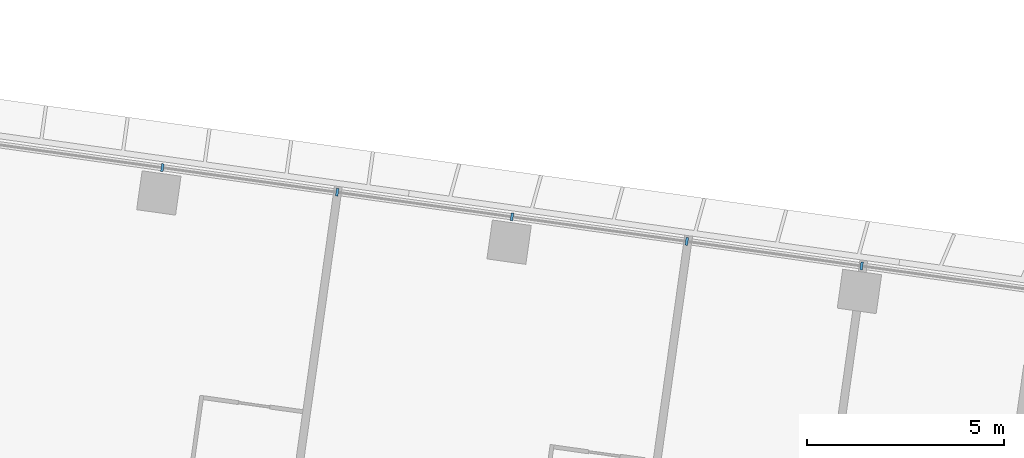
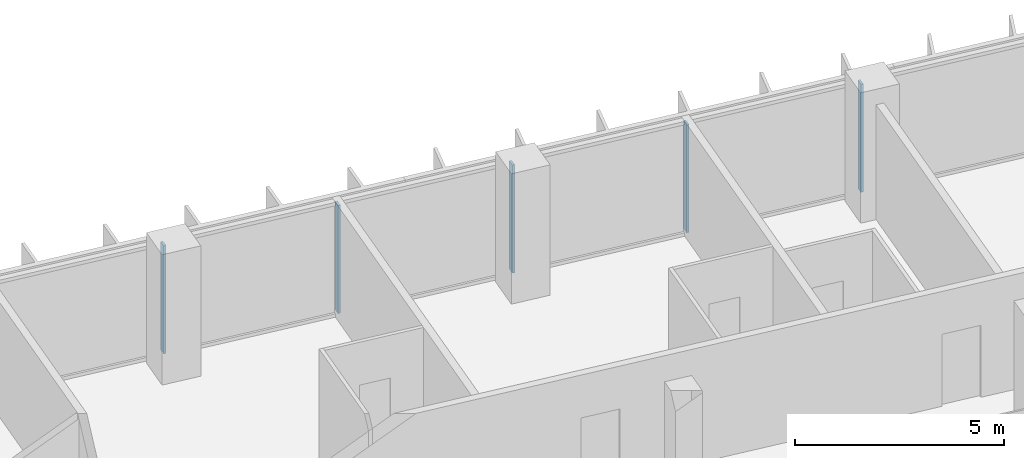
# One storey, part 5 of 25: 5 members, 1 element without a shape of its own.
"""IFC4 building model written with IfcOpenShell, lengths in metres."""

import ifcopenshell
import ifcopenshell.guid

model = None  # the IFC model being written
_history = None  # IfcOwnerHistory: only IFC2X3 demands one
_inside = {}  # id of a spatial element -> (the spatial element, [elements in it])
_under = {}  # id of a project, library or spatial element -> (it, [spatial elements below it])
_declared = {}  # id of a project -> (the project, [libraries it declares])
_typed = {}  # id of a type object -> (the type object, [elements of that type])
_made_of = {}  # id of a material, layer set ... -> (it, [elements and type objects made of it])


def new_model(schema):
    """Start an empty IFC model of exactly this schema.

    Asked for "IFC4X3", IfcOpenShell would pick the latest addendum, in which some entities
    have other attributes; the version numbers below select the first issue.
    IFC2X3 requires an IfcOwnerHistory on every rooted entity: one is made here for all.
    """
    global model, _history
    if schema == "IFC4X3":
        model = ifcopenshell.file(schema_version=(4, 3, 0, 0))
    else:
        model = ifcopenshell.file(schema=schema)
    _inside.clear()
    _under.clear()
    _declared.clear()
    _typed.clear()
    _made_of.clear()
    _history = None
    if model.schema == "IFC2X3":
        org = make("IfcOrganization", Name="unknown")
        user = make(
            "IfcPersonAndOrganization",
            ThePerson=make("IfcPerson", FamilyName="unknown"),
            TheOrganization=org,
        )
        app = make(
            "IfcApplication",
            ApplicationDeveloper=org,
            Version="unknown",
            ApplicationFullName="unknown",
            ApplicationIdentifier="unknown",
        )
        _history = make(
            "IfcOwnerHistory",
            OwningUser=user,
            OwningApplication=app,
            ChangeAction="ADDED",
            CreationDate=0,
        )
    return model


def make(cls, **values):
    """One entity of the class cls with the attributes given. An attribute that is None is left unset."""
    return model.create_entity(
        cls, **{name: value for name, value in values.items() if value is not None}
    )


def rooted(cls, **values):
    """An entity with a GlobalId (a new one), such as an element, a storey or a relation."""
    return make(cls, GlobalId=ifcopenshell.guid.new(), OwnerHistory=_history, **values)


def si_unit(unit_type, name, prefix=None):
    """IfcSIUnit, for example si_unit("LENGTHUNIT", "METRE", prefix="MILLI")."""
    return make("IfcSIUnit", UnitType=unit_type, Prefix=prefix, Name=name)


def assignment(units):
    """IfcUnitAssignment: the units of a project."""
    return None if units is None else make("IfcUnitAssignment", Units=units)


def point(xyz):
    """IfcCartesianPoint."""
    return None if xyz is None else make("IfcCartesianPoint", Coordinates=xyz)


def direction(xyz):
    """IfcDirection."""
    return None if xyz is None else make("IfcDirection", DirectionRatios=xyz)


def frame(location, z_axis=None, x_axis=None):
    """IfcAxis2Placement3D, a coordinate frame: its origin and axes. An axis left out is left unset."""
    return make(
        "IfcAxis2Placement3D",
        Location=point(location),
        Axis=direction(z_axis),
        RefDirection=direction(x_axis),
    )


def frame_2d(location, x_axis=None):
    """IfcAxis2Placement2D, a coordinate frame in the plane: its origin and x axis."""
    return make(
        "IfcAxis2Placement2D", Location=point(location), RefDirection=direction(x_axis)
    )


def origin():
    """The frame at (0, 0, 0) with its axes left unset."""
    return frame((0.0, 0.0, 0.0))


def origin_2d():
    """The frame at (0, 0) in the plane with its x axis left unset."""
    return frame_2d((0.0, 0.0))


def place(relative_to, where):
    """IfcLocalPlacement: puts the frame where relative to a parent placement (None: the world)."""
    return make(
        "IfcLocalPlacement", PlacementRelTo=relative_to, RelativePlacement=where
    )


def context(
    kind, dimensions, precision=None, world=None, true_north=None, identifier=None
):
    """IfcGeometricRepresentationContext, for example the 3D "Model" context."""
    return make(
        "IfcGeometricRepresentationContext",
        ContextIdentifier=identifier,
        ContextType=kind,
        CoordinateSpaceDimension=dimensions,
        Precision=precision,
        WorldCoordinateSystem=world,
        TrueNorth=true_north,
    )


def subcontext(parent, identifier, kind, view, scale=None):
    """IfcGeometricRepresentationSubContext, for example "Body" below "Model"."""
    return make(
        "IfcGeometricRepresentationSubContext",
        ContextIdentifier=identifier,
        ContextType=kind,
        ParentContext=parent,
        TargetScale=scale,
        TargetView=view,
    )


def project(units=None, contexts=None):
    """IfcProject with its units and contexts."""
    return rooted(
        "IfcProject",
        Name="project",
        RepresentationContexts=contexts,
        UnitsInContext=assignment(units),
    )


def spatial(cls, under=None, at=None, **own):
    """A site, building, storey or space (cls), placed at a placement, below another one or the project."""
    s = rooted(cls, ObjectPlacement=at, **own)
    if under is not None:
        _under.setdefault(under.id(), (under, []))[1].append(s)
    return s


def profile(cls, at=None, kind="AREA", **sizes):
    """A parametric profile (cls). Its sizes go by their IFC names, for example OverallWidth=200.0."""
    return make(cls, ProfileType=kind, Position=at, **sizes)


def rectangle(**sizes):
    """IfcRectangleProfileDef."""
    return profile("IfcRectangleProfileDef", **sizes)


def extrude(swept, where, along, depth):
    """IfcExtrudedAreaSolid: the profile swept, set in the frame where, extruded along a direction by depth."""
    return make(
        "IfcExtrudedAreaSolid",
        SweptArea=swept,
        Position=where,
        ExtrudedDirection=direction(along),
        Depth=depth,
    )


def shape(context_of_items, identifier, shape_type, items):
    """IfcShapeRepresentation: the items that make up one representation, for example the "Body"."""
    return make(
        "IfcShapeRepresentation",
        ContextOfItems=context_of_items,
        RepresentationIdentifier=identifier,
        RepresentationType=shape_type,
        Items=items,
    )


def material(Name=None, Category=None):
    """IfcMaterial."""
    return make("IfcMaterial", Name=Name, Category=Category)


def material_profile(
    of_material, cross_section, Name=None, Category=None, Priority=None
):
    """IfcMaterialProfile: a cross section and its material."""
    return make(
        "IfcMaterialProfile",
        Name=Name,
        Material=of_material,
        Profile=cross_section,
        Priority=Priority,
        Category=Category,
    )


def profile_set(profiles, Name=None, composite=None):
    """IfcMaterialProfileSet."""
    return make(
        "IfcMaterialProfileSet",
        Name=Name,
        MaterialProfiles=profiles,
        CompositeProfile=composite,
    )


def made_of(thing, what):
    """Note that an element or type object is made of a material, layer set ...; save() writes the relation."""
    if what is not None:
        _made_of.setdefault(what.id(), (what, []))[1].append(thing)
    return thing


def type_object(cls, material=None, **own):
    """A type object (cls), such as IfcWallType, which elements share."""
    return made_of(rooted(cls, **own), material)


def element(
    cls,
    number,
    at=None,
    inside=None,
    cuts=None,
    type_object=None,
    material=None,
    context=None,
    identifier="Body",
    shape_type=None,
    held_by="IfcProductDefinitionShape",
    body=None,
    shapes=None,
    **own,
):
    """One element of the class cls, such as IfcWall. Its Tag is "e" and its number.

    at: its placement. inside: the storey or other place that contains it. cuts: it is an
    opening in that element (IfcRelVoidsElement). A single representation is given by context,
    identifier, shape_type and body (its items); several are given by shapes. held_by: the class
    of the entity that holds the representations. save() writes the other relations.
    """
    e = rooted(cls, Tag="e%d" % number, ObjectPlacement=at, **own)
    if body is not None:
        shapes = [shape(context, identifier, shape_type, body)]
    if shapes is not None:
        e.Representation = make(held_by, Representations=shapes)
    if inside is not None:
        _inside.setdefault(inside.id(), (inside, []))[1].append(e)
    if cuts is not None:
        rooted(
            "IfcRelVoidsElement", RelatingBuildingElement=cuts, RelatedOpeningElement=e
        )
    if type_object is not None:
        _typed.setdefault(type_object.id(), (type_object, []))[1].append(e)
    return made_of(e, material)


def aggregate(whole, parts):
    """IfcRelAggregates: a whole, such as a stair, and the parts it consists of."""
    return rooted("IfcRelAggregates", RelatingObject=whole, RelatedObjects=parts)


def save(model, path):
    """Write the relations noted so far, then the file.

    IfcRelAggregates (storeys below a building ...), IfcRelContainedInSpatialStructure (elements
    in a storey), IfcRelDefinesByType, IfcRelAssociatesMaterial and IfcRelDeclares: one each for
    every whole, place, type object, material and project.
    """
    for whole, parts in _under.values():
        aggregate(whole, parts)
    for where, things in _inside.values():
        rooted(
            "IfcRelContainedInSpatialStructure",
            RelatedElements=things,
            RelatingStructure=where,
        )
    for kind, things in _typed.values():
        rooted("IfcRelDefinesByType", RelatedObjects=things, RelatingType=kind)
    for what, things in _made_of.values():
        rooted("IfcRelAssociatesMaterial", RelatedObjects=things, RelatingMaterial=what)
    for by, libraries in _declared.values():
        rooted("IfcRelDeclares", RelatingContext=by, RelatedDefinitions=libraries)
    model.write(path)


model = new_model("IFC4")

# Units and contexts
model_context = context("Model", 3, precision=1e-05, world=origin(), true_north=direction((0.0, 1.0)))
body_context = subcontext(model_context, "Body", "Model", "MODEL_VIEW")
ifc_project = project(units=[si_unit("LENGTHUNIT", "METRE"), si_unit("AREAUNIT", "SQUARE_METRE"), si_unit("VOLUMEUNIT", "CUBIC_METRE"), si_unit("PLANEANGLEUNIT", "RADIAN"), si_unit("MASSUNIT", "GRAM", prefix="KILO")], contexts=[model_context])

# Site, building, storey
site_placement = place(None, origin())
site = spatial("IfcSite", under=ifc_project, at=site_placement, CompositionType="ELEMENT")
building_placement = place(site_placement, origin())
building = spatial("IfcBuilding", under=site, at=building_placement, Name="Mirante Cascada Hotel Towers", CompositionType="ELEMENT")
storey_placement = place(building_placement, frame((0.0, 0.0, 73.7)))
storey = spatial("IfcBuildingStorey", under=building, at=storey_placement, Name="L15", CompositionType="ELEMENT", Elevation=73.7)

# Curtain wall, members
ifc_material_1 = material(Name="Aluminium mullion and transom frame with clear laminated glass", Category="aluminium")
curtain_wall_type = type_object("IfcCurtainWallType", Name="Ribbon curtain wall ECW1", PredefinedType="NOTDEFINED", material=ifc_material_1)
curtain_wall_placement = place(storey_placement, origin())
curtain_wall = element("IfcCurtainWall", 1, at=curtain_wall_placement, inside=storey, type_object=curtain_wall_type, Name="Front ribbon wall T1 L15", PredefinedType="NOTDEFINED")
ifc_material_2 = material(Name="Anodised aluminium extrusion", Category="aluminium")
ifc_material_profile = material_profile(ifc_material_2, rectangle(XDim=0.2, YDim=0.065, at=origin_2d()), Name="ECW1 MULLION 65x200")
ifc_profile_set = profile_set([ifc_material_profile], Name="Anodised aluminium extrusion")
member_type = type_object("IfcMemberType", Name="ECW1 mullion 65x200", PredefinedType="MULLION", material=ifc_profile_set)
member_1_placement = place(storey_placement, frame((-63.0262, 21.6768, 0.1), z_axis=(0.0, 0.0, 1.0), x_axis=(0.1391731, 0.9902681, 0.0)))
member_1 = element("IfcMember", 2, at=member_1_placement, type_object=member_type, Name="ECW1 mullion 8", PredefinedType="MULLION", context=body_context, shape_type="SweptSolid", body=[
    extrude(rectangle(XDim=0.2, YDim=0.065, at=origin_2d()), origin(), (0.0, 0.0, 1.0), 3.15),
])
member_2_placement = place(storey_placement, frame((-58.5788, 21.0517, 0.1), z_axis=(0.0, 0.0, 1.0), x_axis=(0.1391731, 0.9902681, 0.0)))
member_2 = element("IfcMember", 3, at=member_2_placement, type_object=member_type, Name="ECW1 mullion 9", PredefinedType="MULLION", context=body_context, shape_type="SweptSolid", body=[
    extrude(rectangle(XDim=0.2, YDim=0.065, at=origin_2d()), origin(), (0.0, 0.0, 1.0), 3.15),
])
member_3_placement = place(storey_placement, frame((-54.1314, 20.4267, 0.1), z_axis=(0.0, 0.0, 1.0), x_axis=(0.1391731, 0.9902681, 0.0)))
member_3 = element("IfcMember", 4, at=member_3_placement, type_object=member_type, Name="ECW1 mullion 10", PredefinedType="MULLION", context=body_context, shape_type="SweptSolid", body=[
    extrude(rectangle(XDim=0.2, YDim=0.065, at=origin_2d()), origin(), (0.0, 0.0, 1.0), 3.15),
])
member_4_placement = place(storey_placement, frame((-49.684, 19.8017, 0.1), z_axis=(0.0, 0.0, 1.0), x_axis=(0.1391731, 0.9902681, 0.0)))
member_4 = element("IfcMember", 5, at=member_4_placement, type_object=member_type, Name="ECW1 mullion 11", PredefinedType="MULLION", context=body_context, shape_type="SweptSolid", body=[
    extrude(rectangle(XDim=0.2, YDim=0.065, at=origin_2d()), origin(), (0.0, 0.0, 1.0), 3.15),
])
member_5_placement = place(storey_placement, frame((-45.2366, 19.1766, 0.1), z_axis=(0.0, 0.0, 1.0), x_axis=(0.1391731, 0.9902681, 0.0)))
member_5 = element("IfcMember", 6, at=member_5_placement, type_object=member_type, Name="ECW1 mullion 12", PredefinedType="MULLION", context=body_context, shape_type="SweptSolid", body=[
    extrude(rectangle(XDim=0.2, YDim=0.065, at=origin_2d()), origin(), (0.0, 0.0, 1.0), 3.15),
])
aggregate(curtain_wall, [member_1, member_2, member_3, member_4, member_5])

save(model, "model.ifc")
